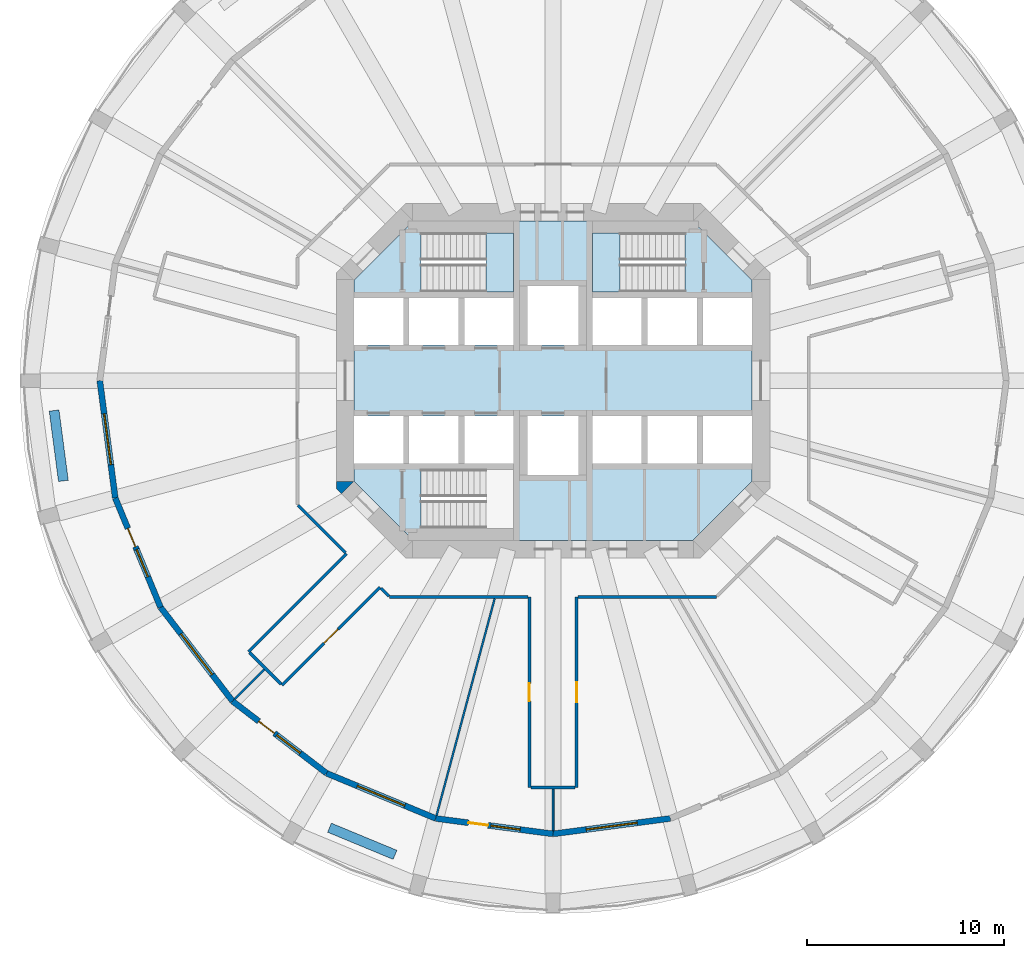
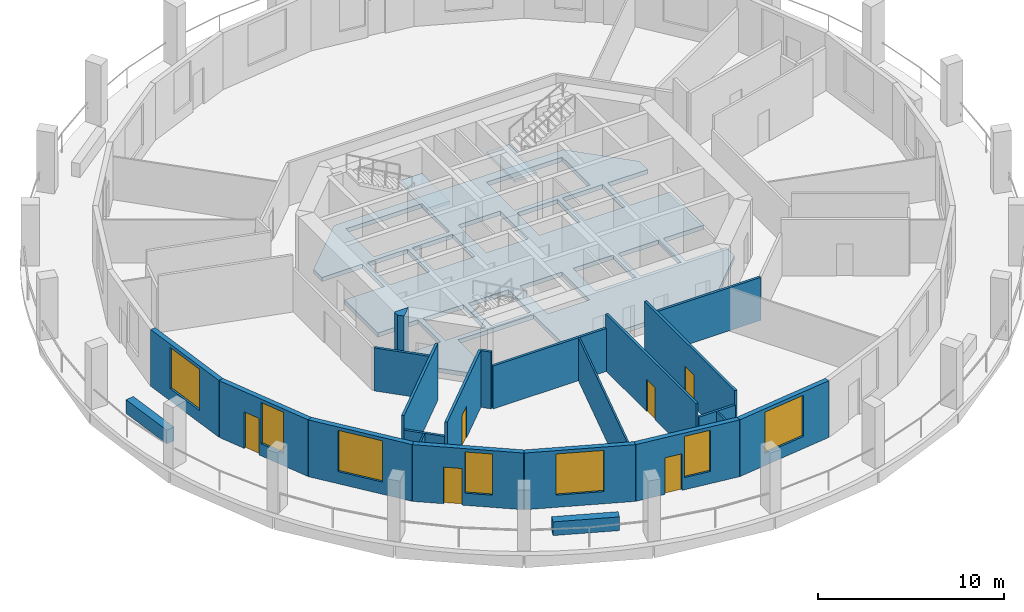
# One storey, part 2 of 9: 23 walls, 7 windows, 6 doors, 3 slabs, 13 openings, 2 elements without a shape of their own.
"""IFC4 building model written with IfcOpenShell, lengths in metres."""

from ifc_helpers import new_model, si_unit, direction, frame, frame_2d, origin, place, context, subcontext, project, spatial, polyline, rectangle, outline, extrude, material, layer, layer_set, type_object, element, fill, aggregate, save


model = new_model("IFC4")

# Units and contexts
model_context = context("Model", 3, precision=1e-05, world=origin(), true_north=direction((0.0, 1.0)))
body_context = subcontext(model_context, "Body", "Model", "MODEL_VIEW")
ifc_project = project(units=[si_unit("LENGTHUNIT", "METRE"), si_unit("AREAUNIT", "SQUARE_METRE"), si_unit("VOLUMEUNIT", "CUBIC_METRE"), si_unit("PLANEANGLEUNIT", "RADIAN"), si_unit("MASSUNIT", "GRAM", prefix="KILO")], contexts=[model_context])

# Site, building, storey
site_placement = place(None, origin())
site = spatial("IfcSite", under=ifc_project, at=site_placement, CompositionType="ELEMENT")
building_placement = place(site_placement, origin())
building = spatial("IfcBuilding", under=site, at=building_placement, Name="Torre Triforio", CompositionType="ELEMENT")
storey_placement = place(building_placement, frame((0.0, 0.0, 43.0)))
storey = spatial("IfcBuildingStorey", under=building, at=storey_placement, Name="L08", CompositionType="ELEMENT", Elevation=43.0)

# Slab
ifc_material_1 = material(Name="Concrete C60", Category="concrete")
ifc_layer_1 = layer(ifc_material_1, 0.280029296875)
ifc_layer_set_1 = layer_set([ifc_layer_1], Name="Concrete C60")
slab_type_1 = type_object("IfcSlabType", Name="Core floor slab 280 mm C60 REI 120", PredefinedType="FLOOR", material=ifc_layer_set_1)
slab_1_placement = place(storey_placement, frame((0.0, 0.0, -0.280029296875)))
element("IfcSlab", 1, at=slab_1_placement, inside=storey, type_object=slab_type_1, Name="Core floor slab", PredefinedType="FLOOR", context=body_context, shape_type="SweptSolid", body=[
    extrude(outline(polyline([(10.10009765625, -5.10009765625), (7.10009765625, -8.10009765625), (-7.10009765625, -8.10009765625), (-10.10009765625, -5.10009765625), (-10.10009765625, -4.199951171875), (-7.60009765625, -4.199951171875), (-7.60009765625, -1.800048828125), (-10.10009765625, -1.800048828125), (-10.10009765625, 1.800048828125), (-7.60009765625, 1.800048828125), (-7.60009765625, 4.199951171875), (-10.10009765625, 4.199951171875), (-10.10009765625, 5.10009765625), (-7.10009765625, 8.10009765625), (7.10009765625, 8.10009765625), (10.10009765625, 5.10009765625), (10.10009765625, 4.199951171875), (7.60009765625, 4.199951171875), (7.60009765625, 1.800048828125), (10.10009765625, 1.800048828125), (10.10009765625, -1.800048828125), (7.60009765625, -1.800048828125), (7.60009765625, -4.199951171875), (10.10009765625, -4.199951171875), (10.10009765625, -5.10009765625)]), holes=[polyline([(-2.0, -4.5), (-6.696044921875, -4.5), (-6.696044921875, -7.5), (-2.0, -7.5), (-2.0, -4.5)]), polyline([(-4.800048828125, -1.800048828125), (-7.300048828125, -1.800048828125), (-7.300048828125, -4.199951171875), (-4.800048828125, -4.199951171875), (-4.800048828125, -1.800048828125)]), polyline([(-2.0, -1.800048828125), (-4.5, -1.800048828125), (-4.5, -4.199951171875), (-2.0, -4.199951171875), (-2.0, -1.800048828125)]), polyline([(-4.800048828125, 4.199951171875), (-7.300048828125, 4.199951171875), (-7.300048828125, 1.800048828125), (-4.800048828125, 1.800048828125), (-4.800048828125, 4.199951171875)]), polyline([(-2.0, 4.199951171875), (-4.5, 4.199951171875), (-4.5, 1.800048828125), (-2.0, 1.800048828125), (-2.0, 4.199951171875)]), polyline([(1.300048828125, 4.800048828125), (-1.300048828125, 4.800048828125), (-1.300048828125, 1.800048828125), (1.300048828125, 1.800048828125), (1.300048828125, 4.800048828125)]), polyline([(-2.0, 7.5), (-6.696044921875, 7.5), (-6.696044921875, 4.5), (-2.0, 4.5), (-2.0, 7.5)]), polyline([(1.300048828125, -1.800048828125), (-1.300048828125, -1.800048828125), (-1.300048828125, -4.800048828125), (1.300048828125, -4.800048828125), (1.300048828125, -1.800048828125)]), polyline([(4.5, -1.800048828125), (2.0, -1.800048828125), (2.0, -4.199951171875), (4.5, -4.199951171875), (4.5, -1.800048828125)]), polyline([(7.300048828125, -1.800048828125), (4.800048828125, -1.800048828125), (4.800048828125, -4.199951171875), (7.300048828125, -4.199951171875), (7.300048828125, -1.800048828125)]), polyline([(4.5, 4.199951171875), (2.0, 4.199951171875), (2.0, 1.800048828125), (4.5, 1.800048828125), (4.5, 4.199951171875)]), polyline([(7.300048828125, 4.199951171875), (4.800048828125, 4.199951171875), (4.800048828125, 1.800048828125), (7.300048828125, 1.800048828125), (7.300048828125, 4.199951171875)]), polyline([(6.696044921875, 4.5), (6.696044921875, 7.5), (2.0, 7.5), (2.0, 4.5), (6.696044921875, 4.5)])]), origin(), (0.0, 0.0, 1.0), 0.280029296875),
])

# Stair, slab
ifc_material_2 = material(Name="Concrete C40", Category="concrete")
stair_type = type_object("IfcStairType", Name="STAIR HALF-TURN", PredefinedType="HALF_TURN_STAIR", material=ifc_material_2)
stair_1_placement = place(storey_placement, origin())
stair_1 = element("IfcStair", 2, at=stair_1_placement, inside=storey, type_object=stair_type, Name="Exit stair 1", PredefinedType="HALF_TURN_STAIR")
ifc_layer_2 = layer(ifc_material_2, 0.199951171875)
ifc_layer_set_2 = layer_set([ifc_layer_2], Name="Concrete C40")
slab_type_2 = type_object("IfcSlabType", Name="STAIR LANDING 200", PredefinedType="LANDING", material=ifc_layer_set_2)
slab_2_placement = place(storey_placement, frame((0.0, 0.0, 1.800048828125)))
slab_2 = element("IfcSlab", 3, at=slab_2_placement, type_object=slab_type_2, Name="ST1 landing 1", PredefinedType="LANDING", context=body_context, shape_type="SweptSolid", body=[
    extrude(outline(polyline([(-2.0, 4.5), (-2.0, 7.5), (-3.39990234375, 7.5), (-3.39990234375, 4.5), (-2.0, 4.5)])), origin(), (0.0, 0.0, 1.0), 0.199951171875),
])
aggregate(stair_1, [slab_2])

stair_2_placement = place(storey_placement, origin())
stair_2 = element("IfcStair", 4, at=stair_2_placement, inside=storey, type_object=stair_type, Name="Exit stair 2", PredefinedType="HALF_TURN_STAIR")
slab_3_placement = place(storey_placement, frame((0.0, 0.0, 1.800048828125)))
slab_3 = element("IfcSlab", 5, at=slab_3_placement, type_object=slab_type_2, Name="ST2 landing 1", PredefinedType="LANDING", context=body_context, shape_type="SweptSolid", body=[
    extrude(outline(polyline([(3.39990234375, 4.5), (3.39990234375, 7.5), (2.0, 7.5), (2.0, 4.5), (3.39990234375, 4.5)])), origin(), (0.0, 0.0, 1.0), 0.199951171875),
])
aggregate(stair_2, [slab_3])

# Walls
ifc_layer_3 = layer(ifc_material_1, 0.89990234375)
ifc_layer_set_3 = layer_set([ifc_layer_3], Name="Concrete C60")
wall_type_1 = type_object("IfcWallType", Name="Core wall 900 mm C60 EI 120", PredefinedType="SHEAR", material=ifc_layer_set_3)
wall_1_placement = place(storey_placement, frame((0.0, 0.0, -0.280029296875)))
element("IfcWall", 6, at=wall_1_placement, inside=storey, type_object=wall_type_1, Name="Core wall", PredefinedType="SHEAR", context=body_context, shape_type="SweptSolid", body=[
    extrude(outline(polyline([(-11.0, -5.472900390625), (-11.0, -5.1298828125), (-10.1298828125, -5.1298828125), (-10.736328125, -5.736328125), (-11.0, -5.472900390625)])), origin(), (0.0, 0.0, 1.0), 4.0),
])
ifc_material_3 = material(Name="Plasterboard on metal studs")
ifc_layer_4 = layer(ifc_material_3, 0.14990234375)
ifc_layer_set_4 = layer_set([ifc_layer_4], Name="Plasterboard on metal studs")
wall_type_2 = type_object("IfcWallType", Name="Corridor and tenancy wall 150 mm EI 60", PredefinedType="PARTITIONING", material=ifc_layer_set_4)
wall_2_placement = place(storey_placement, frame((8.291015625, -10.97509765625, 0.0), z_axis=(0.0, 0.0, 1.0), x_axis=(-1.0, 0.0, 0.0)))
element("IfcWall", 7, at=wall_2_placement, inside=storey, type_object=wall_type_2, Name="Partition 4", PredefinedType="PARTITIONING", context=body_context, shape_type="SweptSolid", body=[
    extrude(rectangle(XDim=7.01611328125, YDim=0.14990234375, at=frame_2d((3.508056640625, 0.0))), origin(), (0.0, 0.0, 1.0), 2.820068359375),
])

# Wall, opening, door
wall_3_placement = place(storey_placement, frame((1.199951171875, -10.97509765625, 0.0), z_axis=(0.0, 0.0, 1.0), x_axis=(0.0, -1.0, 0.0)))
wall_3 = element("IfcWall", 8, at=wall_3_placement, inside=storey, type_object=wall_type_2, Name="Partition 5", PredefinedType="PARTITIONING", context=body_context, shape_type="SweptSolid", body=[
    extrude(rectangle(XDim=9.673583984375, YDim=0.14990234375, at=frame_2d((4.8369140625, 0.0))), origin(), (0.0, 0.0, 1.0), 3.719970703125),
])
opening_1_placement = place(wall_3_placement, frame((4.3369140625, 0.0, 0.0)))
opening_1 = element("IfcOpeningElement", 9, at=opening_1_placement, cuts=wall_3, Name="Opening N2-07", PredefinedType="OPENING", context=body_context, shape_type="SweptSolid", body=[
    extrude(rectangle(XDim=1.0, YDim=2.10009765625, at=frame_2d((0.5, 1.050048828125))), frame((0.0, 0.0849609375, 0.0), z_axis=(0.0, -1.0, 0.0), x_axis=(1.0, 0.0, 0.0)), (0.0, 0.0, 1.0), 0.169921875),
])
ifc_material_4 = material(Name="Timber", Category="wood")
door_type_1 = type_object("IfcDoorType", Name="Door 1000 x 2100 single leaf EI 30", OperationType="NOTDEFINED", PredefinedType="DOOR", material=ifc_material_4)
door_1_placement = place(opening_1_placement, origin())
door_1 = element("IfcDoor", 10, at=door_1_placement, inside=storey, type_object=door_type_1, Name="Door N2-07", OperationType="SINGLE_SWING_RIGHT", OverallHeight=2.10009765625, OverallWidth=1.0, PredefinedType="DOOR", context=body_context, shape_type="SweptSolid", body=[
    extrude(rectangle(XDim=1.0, YDim=2.10009765625, at=frame_2d((0.5, 1.050048828125))), frame((0.0, 0.02490234375, 0.0), z_axis=(0.0, -1.0, 0.0), x_axis=(1.0, 0.0, 0.0)), (0.0, 0.0, 1.0), 0.050048828125),
])
fill(opening_1, door_1)

# Wall
wall_4_placement = place(storey_placement, frame((1.125, -20.648681640625, 0.0), z_axis=(0.0, 0.0, 1.0), x_axis=(-1.0, 0.0, 0.0)))
element("IfcWall", 11, at=wall_4_placement, inside=storey, type_object=wall_type_2, Name="Partition 6", PredefinedType="PARTITIONING", context=body_context, shape_type="SweptSolid", body=[
    extrude(rectangle(XDim=2.25, YDim=0.14990234375, at=frame_2d((1.125, 0.0))), origin(), (0.0, 0.0, 1.0), 2.820068359375),
])

# Wall, opening, door
wall_5_placement = place(storey_placement, frame((-1.199951171875, -20.648681640625, 0.0), z_axis=(0.0, 0.0, 1.0), x_axis=(0.0, 1.0, 0.0)))
wall_5 = element("IfcWall", 12, at=wall_5_placement, inside=storey, type_object=wall_type_2, Name="Partition 7", PredefinedType="PARTITIONING", context=body_context, shape_type="SweptSolid", body=[
    extrude(rectangle(XDim=9.673583984375, YDim=0.14990234375, at=frame_2d((4.8369140625, 0.0))), origin(), (0.0, 0.0, 1.0), 3.719970703125),
])
opening_2_placement = place(wall_5_placement, frame((4.386962890625, 0.0, 0.0)))
opening_2 = element("IfcOpeningElement", 13, at=opening_2_placement, cuts=wall_5, Name="Opening N2-06", PredefinedType="OPENING", context=body_context, shape_type="SweptSolid", body=[
    extrude(rectangle(XDim=0.89990234375, YDim=2.10009765625, at=frame_2d((0.449951171875, 1.050048828125))), frame((0.0, 0.0849609375, 0.0), z_axis=(0.0, -1.0, 0.0), x_axis=(1.0, 0.0, 0.0)), (0.0, 0.0, 1.0), 0.169921875),
])
door_type_2 = type_object("IfcDoorType", Name="Door 900 x 2100 single leaf EI 30", OperationType="NOTDEFINED", PredefinedType="DOOR", material=ifc_material_4)
door_2_placement = place(opening_2_placement, origin())
door_2 = element("IfcDoor", 14, at=door_2_placement, inside=storey, type_object=door_type_2, Name="Door N2-06", OperationType="SINGLE_SWING_RIGHT", OverallHeight=2.10009765625, OverallWidth=0.89990234375, PredefinedType="DOOR", context=body_context, shape_type="SweptSolid", body=[
    extrude(rectangle(XDim=0.89990234375, YDim=2.10009765625, at=frame_2d((0.449951171875, 1.050048828125))), frame((0.0, 0.02490234375, 0.0), z_axis=(0.0, -1.0, 0.0), x_axis=(1.0, 0.0, 0.0)), (0.0, 0.0, 1.0), 0.050048828125),
])
fill(opening_2, door_2)

# Walls
wall_6_placement = place(storey_placement, frame((-1.27490234375, -10.97509765625, 0.0), z_axis=(0.0, 0.0, 1.0), x_axis=(-1.0, 0.0, 0.0)))
element("IfcWall", 15, at=wall_6_placement, inside=storey, type_object=wall_type_2, Name="Partition 8", PredefinedType="PARTITIONING", context=body_context, shape_type="SweptSolid", body=[
    extrude(rectangle(XDim=7.01611328125, YDim=0.14990234375, at=frame_2d((3.508056640625, 0.0))), origin(), (0.0, 0.0, 1.0), 2.820068359375),
])
wall_7_placement = place(storey_placement, frame((-8.327880859375, -10.93798828125, 0.0), z_axis=(0.0, 0.0, 1.0), x_axis=(-0.707106781187, 0.707106781187, 0.0)))
element("IfcWall", 16, at=wall_7_placement, inside=storey, type_object=wall_type_2, Name="Partition 9", PredefinedType="PARTITIONING", context=body_context, shape_type="SweptSolid", body=[
    extrude(rectangle(XDim=0.57080078125, YDim=0.14990234375, at=frame_2d((0.285400390625, 0.0))), origin(), (0.0, 0.0, 1.0), 3.719970703125),
])

# Wall, opening, door
wall_8_placement = place(storey_placement, frame((-8.784423828125, -10.4814453125, 0.0), z_axis=(0.0, 0.0, 1.0), x_axis=(-0.707089406061, -0.707124155885, 0.0)))
wall_8 = element("IfcWall", 17, at=wall_8_placement, inside=storey, type_object=wall_type_2, Name="Partition 10", PredefinedType="PARTITIONING", context=body_context, shape_type="SweptSolid", body=[
    extrude(rectangle(XDim=7.025634765625, YDim=0.14990234375, at=frame_2d((3.5126953125, 0.0))), origin(), (0.0, 0.0, 1.0), 3.719970703125),
])
opening_3_placement = place(wall_8_placement, frame((3.0126953125, 0.0, 0.0)))
opening_3 = element("IfcOpeningElement", 18, at=opening_3_placement, cuts=wall_8, Name="Opening N2-05", PredefinedType="OPENING", context=body_context, shape_type="SweptSolid", body=[
    extrude(rectangle(XDim=1.0, YDim=2.10009765625, at=frame_2d((0.5, 1.050048828125))), frame((0.0, 0.0849609375, 0.0), z_axis=(0.0, -1.0, 0.0), x_axis=(1.0, 0.0, 0.0)), (0.0, 0.0, 1.0), 0.169921875),
])
door_3_placement = place(opening_3_placement, origin())
door_3 = element("IfcDoor", 19, at=door_3_placement, inside=storey, type_object=door_type_1, Name="Door N2-05", OperationType="SINGLE_SWING_RIGHT", OverallHeight=2.10009765625, OverallWidth=1.0, PredefinedType="DOOR", context=body_context, shape_type="SweptSolid", body=[
    extrude(rectangle(XDim=1.0, YDim=2.10009765625, at=frame_2d((0.5, 1.050048828125))), frame((0.0, 0.02490234375, 0.0), z_axis=(0.0, -1.0, 0.0), x_axis=(1.0, 0.0, 0.0)), (0.0, 0.0, 1.0), 0.050048828125),
])
fill(opening_3, door_3)

# Walls
wall_9_placement = place(storey_placement, frame((-13.805419921875, -15.396240234375, 0.0), z_axis=(0.0, 0.0, 1.0), x_axis=(-0.707106781187, 0.707106781187, 0.0)))
element("IfcWall", 20, at=wall_9_placement, inside=storey, type_object=wall_type_2, Name="Partition 11", PredefinedType="PARTITIONING", context=body_context, shape_type="SweptSolid", body=[
    extrude(rectangle(XDim=2.249755859375, YDim=0.14990234375, at=frame_2d((1.125, 0.0))), origin(), (0.0, 0.0, 1.0), 2.820068359375),
])
wall_10_placement = place(storey_placement, frame((-15.449462890625, -13.752197265625, 0.0), z_axis=(0.0, 0.0, 1.0), x_axis=(0.707124155885, 0.707089406061, 0.0)))
element("IfcWall", 21, at=wall_10_placement, inside=storey, type_object=wall_type_2, Name="Partition 12", PredefinedType="PARTITIONING", context=body_context, shape_type="SweptSolid", body=[
    extrude(rectangle(XDim=7.025634765625, YDim=0.14990234375, at=frame_2d((3.5126953125, 0.0))), origin(), (0.0, 0.0, 1.0), 3.719970703125),
])
wall_11_placement = place(storey_placement, frame((-10.534423828125, -8.7314453125, 0.0), z_axis=(0.0, 0.0, 1.0), x_axis=(-0.707106781187, 0.707106781187, 0.0)))
element("IfcWall", 22, at=wall_11_placement, inside=storey, type_object=wall_type_2, Name="Partition 13", PredefinedType="PARTITIONING", context=body_context, shape_type="SweptSolid", body=[
    extrude(rectangle(XDim=3.399169921875, YDim=0.14990234375, at=frame_2d((1.69970703125, 0.0))), origin(), (0.0, 0.0, 1.0), 2.820068359375),
])
ifc_layer_5 = layer(ifc_material_3, 0.10009765625)
ifc_layer_set_5 = layer_set([ifc_layer_5], Name="Plasterboard on metal studs")
wall_type_3 = type_object("IfcWallType", Name="Partition 100 mm board on metal studs", PredefinedType="PARTITIONING", material=ifc_layer_set_5)
wall_12_placement = place(storey_placement, frame((-14.65380859375, -14.65380859375, 0.0), z_axis=(0.0, 0.0, 1.0), x_axis=(-0.707106781187, -0.707106781187, 0.0)))
element("IfcWall", 23, at=wall_12_placement, inside=storey, type_object=wall_type_3, Name="Partition 36", PredefinedType="PARTITIONING", context=body_context, shape_type="SweptSolid", body=[
    extrude(rectangle(XDim=2.113037109375, YDim=0.10009765625, at=frame_2d((1.056640625, 0.0))), origin(), (0.0, 0.0, 1.0), 2.820068359375),
])
wall_13_placement = place(storey_placement, frame((-2.964599609375, -11.064208984375, 0.0), z_axis=(0.0, 0.0, 1.0), x_axis=(-0.258827930947, -0.965923445291, 0.0)))
element("IfcWall", 24, at=wall_13_placement, inside=storey, type_object=wall_type_3, Name="Partition 37", PredefinedType="PARTITIONING", context=body_context, shape_type="SweptSolid", body=[
    extrude(rectangle(XDim=11.38232421875, YDim=0.10009765625, at=frame_2d((5.691162109375, 0.0))), origin(), (0.0, 0.0, 1.0), 2.820068359375),
])
wall_14_placement = place(storey_placement, frame((0.0, -20.7236328125, 0.0), z_axis=(0.0, 0.0, 1.0), x_axis=(0.0, -1.0, 0.0)))
element("IfcWall", 25, at=wall_14_placement, inside=storey, type_object=wall_type_3, Name="Partition 38", PredefinedType="PARTITIONING", context=body_context, shape_type="SweptSolid", body=[
    extrude(rectangle(XDim=2.113037109375, YDim=0.10009765625, at=frame_2d((1.056640625, 0.0))), origin(), (0.0, 0.0, 1.0), 2.820068359375),
])
ifc_material_5 = material(Name="Limestone cladding", Category="masonry")
ifc_layer_6 = layer(ifc_material_5, 0.10009765625)
ifc_layer_7 = layer(ifc_material_2, 0.39990234375)
ifc_layer_set_6 = layer_set([ifc_layer_6, ifc_layer_7], Name="Limestone cladding / Concrete C40")
wall_type_4 = type_object("IfcWallType", Name="Planter wall 500", PredefinedType="PARAPET", material=ifc_layer_set_6)
for number, where, z_axis, x_axis, name in (
    (26, (-25.318603515625, -1.517578125, 0.0), (0.0, 0.0, 1.0), (0.130542222659, -0.991442750795, 0.0), "Planter L08 bay 13"),
    (27, (-11.344970703125, -22.685302734375, 0.0), (0.0, 0.0, 1.0), (0.923885420167, -0.382669217998, 0.0), "Planter L08 bay 17"),
):
    element("IfcWall", number, at=place(storey_placement, frame(where, z_axis=z_axis, x_axis=x_axis)), inside=storey, type_object=wall_type_4, Name=name, PredefinedType="PARAPET", context=body_context, shape_type="SweptSolid", body=[
        extrude(rectangle(XDim=3.60009765625, YDim=0.5, at=frame_2d((1.800048828125, 0.0))), origin(), (0.0, 0.0, 1.0), 0.89990234375),
    ])

# Wall, opening, window
ifc_layer_8 = layer(ifc_material_5, 0.10009765625)
ifc_layer_9 = layer(ifc_material_2, 0.199951171875)
ifc_layer_set_7 = layer_set([ifc_layer_8, ifc_layer_9], Name="Limestone cladding / Concrete C40")
wall_type_5 = type_object("IfcWallType", Name="Stone-faced composite wall 300", PredefinedType="STANDARD", material=ifc_layer_set_7)
wall_15_placement = place(storey_placement, frame((-23.0, 0.0, 0.0), z_axis=(0.0, 0.0, 1.0), x_axis=(0.130522880875, -0.991445297315, 0.0)))
wall_15 = element("IfcWall", 28, at=wall_15_placement, inside=storey, type_object=wall_type_5, Name="External wall L08 bay 13", PredefinedType="STANDARD", context=body_context, shape_type="SweptSolid", body=[
    extrude(rectangle(XDim=6.004150390625, YDim=0.300048828125, at=frame_2d((3.001953125, 0.0))), origin(), (0.0, 0.0, 1.0), 3.719970703125),
])
opening_4_placement = place(wall_15_placement, frame((1.7021484375, 0.0, 0.800048828125)))
opening_4 = element("IfcOpeningElement", 29, at=opening_4_placement, cuts=wall_15, Name="Opening N2-W13", PredefinedType="OPENING", context=body_context, shape_type="SweptSolid", body=[
    extrude(rectangle(XDim=2.60009765625, YDim=2.699951171875, at=frame_2d((1.300048828125, 1.35009765625))), frame((0.0, 0.159912109375, 0.0), z_axis=(0.0, -1.0, 0.0), x_axis=(1.0, 0.0, 0.0)), (0.0, 0.0, 1.0), 0.320068359375),
])
ifc_material_6 = material(Name="Aluminium frame with clear double glazing", Category="aluminium")
window_type_1 = type_object("IfcWindowType", Name="Punched window 2600 x 2700", PartitioningType="DOUBLE_PANEL_VERTICAL", PredefinedType="WINDOW", material=ifc_material_6)
window_1_placement = place(opening_4_placement, origin())
window_1 = element("IfcWindow", 30, at=window_1_placement, inside=storey, type_object=window_type_1, Name="Window EWN2 L08 bay 13", OverallHeight=2.699951171875, OverallWidth=2.60009765625, PartitioningType="SINGLE_PANEL", PredefinedType="WINDOW", context=body_context, shape_type="SweptSolid", body=[
    extrude(rectangle(XDim=2.60009765625, YDim=2.699951171875, at=frame_2d((1.300048828125, 1.35009765625))), frame((0.0, 0.030029296875, 0.0), z_axis=(0.0, -1.0, 0.0), x_axis=(1.0, 0.0, 0.0)), (0.0, 0.0, 1.0), 0.06005859375),
])
fill(opening_4, window_1)

# Wall, openings, door, window
wall_16_placement = place(storey_placement, frame((-22.21630859375, -5.952880859375, 0.0), z_axis=(0.0, 0.0, 1.0), x_axis=(0.382671411433, -0.923884511653, 0.0)))
wall_16 = element("IfcWall", 31, at=wall_16_placement, inside=storey, type_object=wall_type_5, Name="External wall L08 bay 14", PredefinedType="STANDARD", context=body_context, shape_type="SweptSolid", body=[
    extrude(rectangle(XDim=6.004150390625, YDim=0.300048828125, at=frame_2d((3.001953125, 0.0))), origin(), (0.0, 0.0, 1.0), 3.719970703125),
])
opening_5_placement = place(wall_16_placement, frame((1.677001953125, 0.0, 0.0)))
opening_5 = element("IfcOpeningElement", 32, at=opening_5_placement, cuts=wall_16, Name="Opening N2-D14", PredefinedType="OPENING", context=body_context, shape_type="SweptSolid", body=[
    extrude(rectangle(XDim=1.0, YDim=2.39990234375, at=frame_2d((0.5, 1.199951171875))), frame((0.0, 0.159912109375, 0.0), z_axis=(0.0, -1.0, 0.0), x_axis=(1.0, 0.0, 0.0)), (0.0, 0.0, 1.0), 0.320068359375),
])
opening_6_placement = place(wall_16_placement, frame((2.8271484375, 0.0, 0.800048828125)))
opening_6 = element("IfcOpeningElement", 33, at=opening_6_placement, cuts=wall_16, Name="Opening N2-W14A", PredefinedType="OPENING", context=body_context, shape_type="SweptSolid", body=[
    extrude(rectangle(XDim=1.5, YDim=2.699951171875, at=frame_2d((0.75, 1.35009765625))), frame((0.0, 0.159912109375, 0.0), z_axis=(0.0, -1.0, 0.0), x_axis=(1.0, 0.0, 0.0)), (0.0, 0.0, 1.0), 0.320068359375),
])
door_type_3 = type_object("IfcDoorType", Name="Loggia door 1000 x 2400", OperationType="NOTDEFINED", PredefinedType="DOOR", material=ifc_material_6)
door_4_placement = place(opening_5_placement, origin())
door_4 = element("IfcDoor", 34, at=door_4_placement, inside=storey, type_object=door_type_3, Name="Loggia door L08 bay 14", OperationType="SINGLE_SWING_LEFT", OverallHeight=2.39990234375, OverallWidth=1.0, PredefinedType="DOOR", context=body_context, shape_type="SweptSolid", body=[
    extrude(rectangle(XDim=1.0, YDim=2.39990234375, at=frame_2d((0.5, 1.199951171875))), frame((0.0, 0.02490234375, 0.0), z_axis=(0.0, -1.0, 0.0), x_axis=(1.0, 0.0, 0.0)), (0.0, 0.0, 1.0), 0.050048828125),
])
fill(opening_5, door_4)
window_type_2 = type_object("IfcWindowType", Name="Side window 1500 x 2700", PartitioningType="SINGLE_PANEL", PredefinedType="WINDOW", material=ifc_material_6)
window_2_placement = place(opening_6_placement, origin())
window_2 = element("IfcWindow", 35, at=window_2_placement, inside=storey, type_object=window_type_2, Name="Side window EWN12 L08 bay 14", OverallHeight=2.699951171875, OverallWidth=1.5, PartitioningType="SINGLE_PANEL", PredefinedType="WINDOW", context=body_context, shape_type="SweptSolid", body=[
    extrude(rectangle(XDim=1.5, YDim=2.699951171875, at=frame_2d((0.75, 1.35009765625))), frame((0.0, 0.030029296875, 0.0), z_axis=(0.0, -1.0, 0.0), x_axis=(1.0, 0.0, 0.0)), (0.0, 0.0, 1.0), 0.06005859375),
])
fill(opening_6, window_2)

# Wall, opening, window
wall_17_placement = place(storey_placement, frame((-19.918701171875, -11.5, 0.0), z_axis=(0.0, 0.0, 1.0), x_axis=(0.608778912074, -0.793339924758, 0.0)))
wall_17 = element("IfcWall", 36, at=wall_17_placement, inside=storey, type_object=wall_type_5, Name="External wall L08 bay 15", PredefinedType="STANDARD", context=body_context, shape_type="SweptSolid", body=[
    extrude(rectangle(XDim=6.004150390625, YDim=0.300048828125, at=frame_2d((3.001953125, 0.0))), origin(), (0.0, 0.0, 1.0), 3.719970703125),
])
opening_7_placement = place(wall_17_placement, frame((1.7021484375, 0.0, 0.800048828125)))
opening_7 = element("IfcOpeningElement", 37, at=opening_7_placement, cuts=wall_17, Name="Opening N2-W15", PredefinedType="OPENING", context=body_context, shape_type="SweptSolid", body=[
    extrude(rectangle(XDim=2.60009765625, YDim=2.699951171875, at=frame_2d((1.300048828125, 1.35009765625))), frame((0.0, 0.159912109375, 0.0), z_axis=(0.0, -1.0, 0.0), x_axis=(1.0, 0.0, 0.0)), (0.0, 0.0, 1.0), 0.320068359375),
])
window_3_placement = place(opening_7_placement, origin())
window_3 = element("IfcWindow", 38, at=window_3_placement, inside=storey, type_object=window_type_1, Name="Window EWN2 L08 bay 15", OverallHeight=2.699951171875, OverallWidth=2.60009765625, PartitioningType="SINGLE_PANEL", PredefinedType="WINDOW", context=body_context, shape_type="SweptSolid", body=[
    extrude(rectangle(XDim=2.60009765625, YDim=2.699951171875, at=frame_2d((1.300048828125, 1.35009765625))), frame((0.0, 0.030029296875, 0.0), z_axis=(0.0, -1.0, 0.0), x_axis=(1.0, 0.0, 0.0)), (0.0, 0.0, 1.0), 0.06005859375),
])
fill(opening_7, window_3)

# Wall, openings, door, window
wall_18_placement = place(storey_placement, frame((-16.263427734375, -16.263427734375, 0.0), z_axis=(0.0, 0.0, 1.0), x_axis=(0.793339924758, -0.608778912074, 0.0)))
wall_18 = element("IfcWall", 39, at=wall_18_placement, inside=storey, type_object=wall_type_5, Name="External wall L08 bay 16", PredefinedType="STANDARD", context=body_context, shape_type="SweptSolid", body=[
    extrude(rectangle(XDim=6.004150390625, YDim=0.300048828125, at=frame_2d((3.001953125, 0.0))), origin(), (0.0, 0.0, 1.0), 3.719970703125),
])
opening_8_placement = place(wall_18_placement, frame((1.677001953125, 0.0, 0.0)))
opening_8 = element("IfcOpeningElement", 40, at=opening_8_placement, cuts=wall_18, Name="Opening N2-D16", PredefinedType="OPENING", context=body_context, shape_type="SweptSolid", body=[
    extrude(rectangle(XDim=1.0, YDim=2.39990234375, at=frame_2d((0.5, 1.199951171875))), frame((0.0, 0.159912109375, 0.0), z_axis=(0.0, -1.0, 0.0), x_axis=(1.0, 0.0, 0.0)), (0.0, 0.0, 1.0), 0.320068359375),
])
opening_9_placement = place(wall_18_placement, frame((2.8271484375, 0.0, 0.800048828125)))
opening_9 = element("IfcOpeningElement", 41, at=opening_9_placement, cuts=wall_18, Name="Opening N2-W16A", PredefinedType="OPENING", context=body_context, shape_type="SweptSolid", body=[
    extrude(rectangle(XDim=1.5, YDim=2.699951171875, at=frame_2d((0.75, 1.35009765625))), frame((0.0, 0.159912109375, 0.0), z_axis=(0.0, -1.0, 0.0), x_axis=(1.0, 0.0, 0.0)), (0.0, 0.0, 1.0), 0.320068359375),
])
door_5_placement = place(opening_8_placement, origin())
door_5 = element("IfcDoor", 42, at=door_5_placement, inside=storey, type_object=door_type_3, Name="Loggia door L08 bay 16", OperationType="SINGLE_SWING_LEFT", OverallHeight=2.39990234375, OverallWidth=1.0, PredefinedType="DOOR", context=body_context, shape_type="SweptSolid", body=[
    extrude(rectangle(XDim=1.0, YDim=2.39990234375, at=frame_2d((0.5, 1.199951171875))), frame((0.0, 0.02490234375, 0.0), z_axis=(0.0, -1.0, 0.0), x_axis=(1.0, 0.0, 0.0)), (0.0, 0.0, 1.0), 0.050048828125),
])
fill(opening_8, door_5)
window_4_placement = place(opening_9_placement, origin())
window_4 = element("IfcWindow", 43, at=window_4_placement, inside=storey, type_object=window_type_2, Name="Side window EWN12 L08 bay 16", OverallHeight=2.699951171875, OverallWidth=1.5, PartitioningType="SINGLE_PANEL", PredefinedType="WINDOW", context=body_context, shape_type="SweptSolid", body=[
    extrude(rectangle(XDim=1.5, YDim=2.699951171875, at=frame_2d((0.75, 1.35009765625))), frame((0.0, 0.030029296875, 0.0), z_axis=(0.0, -1.0, 0.0), x_axis=(1.0, 0.0, 0.0)), (0.0, 0.0, 1.0), 0.06005859375),
])
fill(opening_9, window_4)

# Wall, opening, window
wall_19_placement = place(storey_placement, frame((-11.5, -19.918701171875, 0.0), z_axis=(0.0, 0.0, 1.0), x_axis=(0.923884511653, -0.382671411433, 0.0)))
wall_19 = element("IfcWall", 44, at=wall_19_placement, inside=storey, type_object=wall_type_5, Name="External wall L08 bay 17", PredefinedType="STANDARD", context=body_context, shape_type="SweptSolid", body=[
    extrude(rectangle(XDim=6.004150390625, YDim=0.300048828125, at=frame_2d((3.001953125, 0.0))), origin(), (0.0, 0.0, 1.0), 3.719970703125),
])
opening_10_placement = place(wall_19_placement, frame((1.7021484375, 0.0, 0.800048828125)))
opening_10 = element("IfcOpeningElement", 45, at=opening_10_placement, cuts=wall_19, Name="Opening N2-W17", PredefinedType="OPENING", context=body_context, shape_type="SweptSolid", body=[
    extrude(rectangle(XDim=2.60009765625, YDim=2.699951171875, at=frame_2d((1.300048828125, 1.35009765625))), frame((0.0, 0.159912109375, 0.0), z_axis=(0.0, -1.0, 0.0), x_axis=(1.0, 0.0, 0.0)), (0.0, 0.0, 1.0), 0.320068359375),
])
window_5_placement = place(opening_10_placement, origin())
window_5 = element("IfcWindow", 46, at=window_5_placement, inside=storey, type_object=window_type_1, Name="Window EWN2 L08 bay 17", OverallHeight=2.699951171875, OverallWidth=2.60009765625, PartitioningType="SINGLE_PANEL", PredefinedType="WINDOW", context=body_context, shape_type="SweptSolid", body=[
    extrude(rectangle(XDim=2.60009765625, YDim=2.699951171875, at=frame_2d((1.300048828125, 1.35009765625))), frame((0.0, 0.030029296875, 0.0), z_axis=(0.0, -1.0, 0.0), x_axis=(1.0, 0.0, 0.0)), (0.0, 0.0, 1.0), 0.06005859375),
])
fill(opening_10, window_5)

# Wall, openings, door, window
wall_20_placement = place(storey_placement, frame((-5.952880859375, -22.21630859375, 0.0), z_axis=(0.0, 0.0, 1.0), x_axis=(0.991445297315, -0.130522880875, 0.0)))
wall_20 = element("IfcWall", 47, at=wall_20_placement, inside=storey, type_object=wall_type_5, Name="External wall L08 bay 18", PredefinedType="STANDARD", context=body_context, shape_type="SweptSolid", body=[
    extrude(rectangle(XDim=6.004150390625, YDim=0.300048828125, at=frame_2d((3.001953125, 0.0))), origin(), (0.0, 0.0, 1.0), 3.719970703125),
])
opening_11_placement = place(wall_20_placement, frame((1.677001953125, 0.0, 0.0)))
opening_11 = element("IfcOpeningElement", 48, at=opening_11_placement, cuts=wall_20, Name="Opening N2-D18", PredefinedType="OPENING", context=body_context, shape_type="SweptSolid", body=[
    extrude(rectangle(XDim=1.0, YDim=2.39990234375, at=frame_2d((0.5, 1.199951171875))), frame((0.0, 0.159912109375, 0.0), z_axis=(0.0, -1.0, 0.0), x_axis=(1.0, 0.0, 0.0)), (0.0, 0.0, 1.0), 0.320068359375),
])
opening_12_placement = place(wall_20_placement, frame((2.8271484375, 0.0, 0.800048828125)))
opening_12 = element("IfcOpeningElement", 49, at=opening_12_placement, cuts=wall_20, Name="Opening N2-W18A", PredefinedType="OPENING", context=body_context, shape_type="SweptSolid", body=[
    extrude(rectangle(XDim=1.5, YDim=2.699951171875, at=frame_2d((0.75, 1.35009765625))), frame((0.0, 0.159912109375, 0.0), z_axis=(0.0, -1.0, 0.0), x_axis=(1.0, 0.0, 0.0)), (0.0, 0.0, 1.0), 0.320068359375),
])
door_6_placement = place(opening_11_placement, origin())
door_6 = element("IfcDoor", 50, at=door_6_placement, inside=storey, type_object=door_type_3, Name="Loggia door L08 bay 18", OperationType="SINGLE_SWING_RIGHT", OverallHeight=2.39990234375, OverallWidth=1.0, PredefinedType="DOOR", context=body_context, shape_type="SweptSolid", body=[
    extrude(rectangle(XDim=1.0, YDim=2.39990234375, at=frame_2d((0.5, 1.199951171875))), frame((0.0, 0.02490234375, 0.0), z_axis=(0.0, -1.0, 0.0), x_axis=(1.0, 0.0, 0.0)), (0.0, 0.0, 1.0), 0.050048828125),
])
fill(opening_11, door_6)
window_6_placement = place(opening_12_placement, origin())
window_6 = element("IfcWindow", 51, at=window_6_placement, inside=storey, type_object=window_type_2, Name="Side window EWN12 L08 bay 18", OverallHeight=2.699951171875, OverallWidth=1.5, PartitioningType="SINGLE_PANEL", PredefinedType="WINDOW", context=body_context, shape_type="SweptSolid", body=[
    extrude(rectangle(XDim=1.5, YDim=2.699951171875, at=frame_2d((0.75, 1.35009765625))), frame((0.0, 0.030029296875, 0.0), z_axis=(0.0, -1.0, 0.0), x_axis=(1.0, 0.0, 0.0)), (0.0, 0.0, 1.0), 0.06005859375),
])
fill(opening_12, window_6)

# Wall, opening, window
wall_21_placement = place(storey_placement, frame((0.0, -23.0, 0.0), z_axis=(0.0, 0.0, 1.0), x_axis=(0.991445297315, 0.130522880875, 0.0)))
wall_21 = element("IfcWall", 52, at=wall_21_placement, inside=storey, type_object=wall_type_5, Name="External wall L08 bay 19", PredefinedType="STANDARD", context=body_context, shape_type="SweptSolid", body=[
    extrude(rectangle(XDim=6.004150390625, YDim=0.300048828125, at=frame_2d((3.001953125, 0.0))), origin(), (0.0, 0.0, 1.0), 3.719970703125),
])
opening_13_placement = place(wall_21_placement, frame((1.7021484375, 0.0, 0.800048828125)))
opening_13 = element("IfcOpeningElement", 53, at=opening_13_placement, cuts=wall_21, Name="Opening N2-W19", PredefinedType="OPENING", context=body_context, shape_type="SweptSolid", body=[
    extrude(rectangle(XDim=2.60009765625, YDim=2.699951171875, at=frame_2d((1.300048828125, 1.35009765625))), frame((0.0, 0.159912109375, 0.0), z_axis=(0.0, -1.0, 0.0), x_axis=(1.0, 0.0, 0.0)), (0.0, 0.0, 1.0), 0.320068359375),
])
window_7_placement = place(opening_13_placement, origin())
window_7 = element("IfcWindow", 54, at=window_7_placement, inside=storey, type_object=window_type_1, Name="Window EWN2 L08 bay 19", OverallHeight=2.699951171875, OverallWidth=2.60009765625, PartitioningType="SINGLE_PANEL", PredefinedType="WINDOW", context=body_context, shape_type="SweptSolid", body=[
    extrude(rectangle(XDim=2.60009765625, YDim=2.699951171875, at=frame_2d((1.300048828125, 1.35009765625))), frame((0.0, 0.030029296875, 0.0), z_axis=(0.0, -1.0, 0.0), x_axis=(1.0, 0.0, 0.0)), (0.0, 0.0, 1.0), 0.06005859375),
])
fill(opening_13, window_7)

save(model, "model.ifc")
